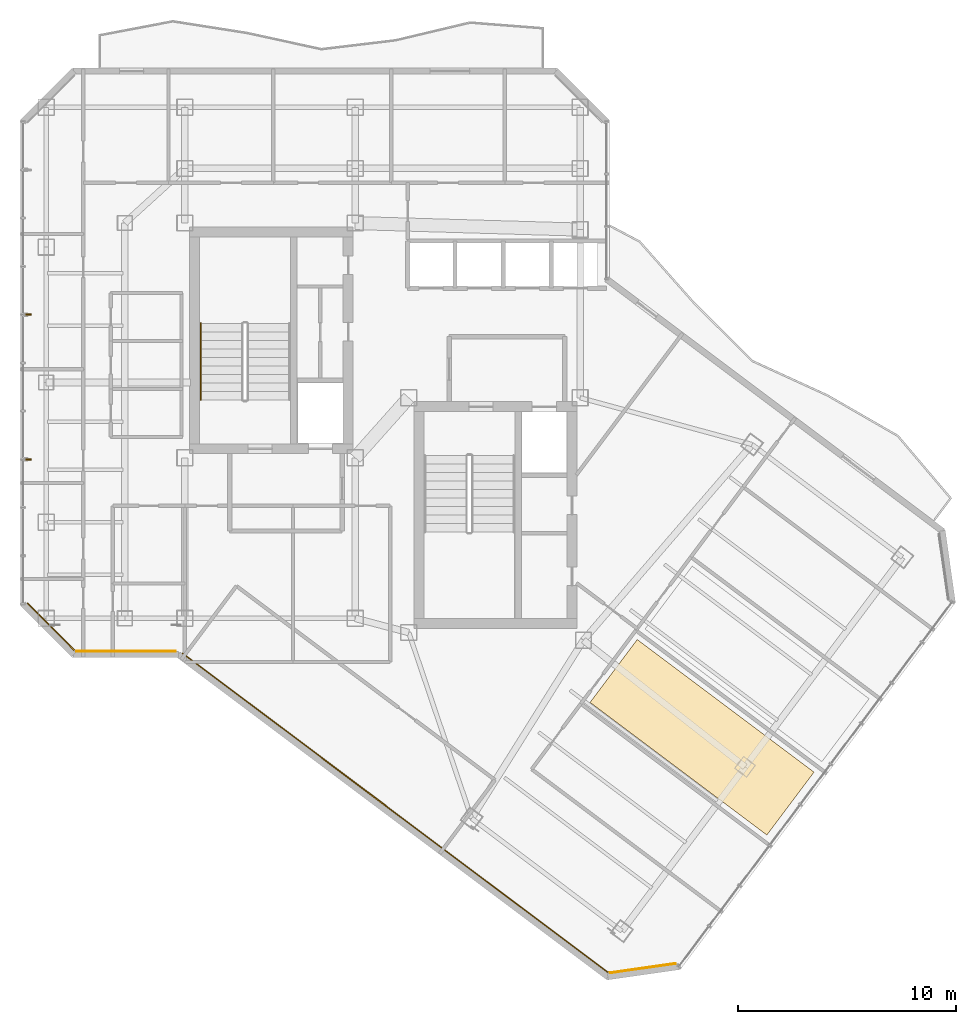
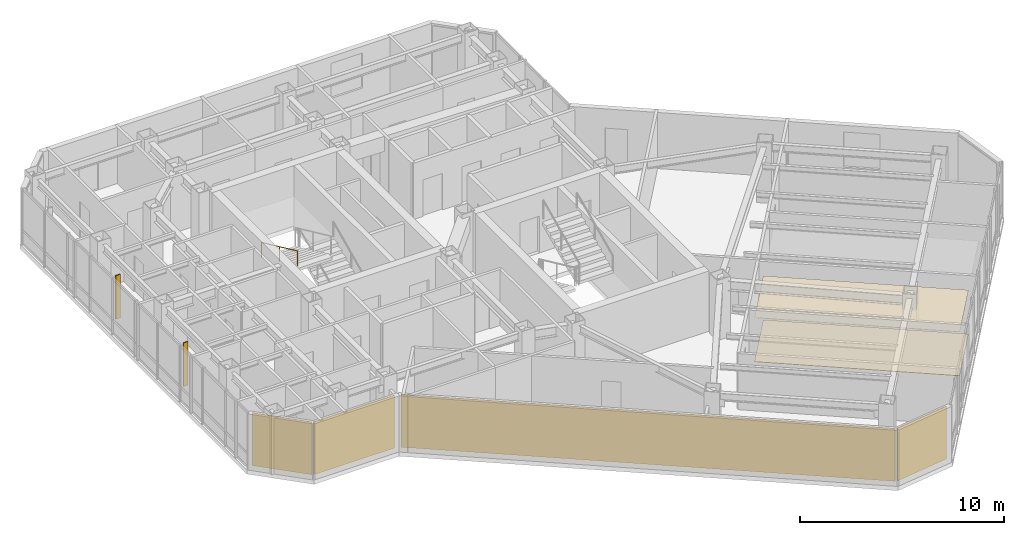
# One storey, part 23 of 26: 6 coverings, 2 shading devices, 1 railing.
"""IFC4 building model written with IfcOpenShell, lengths in metres."""

from ifc_helpers import new_model, si_unit, direction, frame, origin, origin_2d, place, context, subcontext, project, spatial, polyline, rectangle, circle, outline, extrude, material, layer, layer_set, type_object, element, save


model = new_model("IFC4")

# Units and contexts
model_context = context("Model", 3, precision=1e-05, world=origin(), true_north=direction((0.0, 1.0)))
body_context = subcontext(model_context, "Body", "Model", "MODEL_VIEW")
ifc_project = project(units=[si_unit("LENGTHUNIT", "METRE"), si_unit("AREAUNIT", "SQUARE_METRE"), si_unit("VOLUMEUNIT", "CUBIC_METRE"), si_unit("PLANEANGLEUNIT", "RADIAN"), si_unit("MASSUNIT", "GRAM", prefix="KILO")], contexts=[model_context])

# Site, building, storey
site_placement = place(None, origin())
site = spatial("IfcSite", under=ifc_project, at=site_placement, CompositionType="ELEMENT")
building_placement = place(site_placement, origin())
building = spatial("IfcBuilding", under=site, at=building_placement, Name="Hatsunagi Terrace Concourse", CompositionType="ELEMENT")
storey_placement = place(building_placement, frame((0.0, 0.0, 209.550048828125)))
storey = spatial("IfcBuildingStorey", under=building, at=storey_placement, Name="L55", CompositionType="ELEMENT", Elevation=209.550048828125)

# Coverings
ifc_material_1 = material(Name="Acoustic mineral board", Category="gypsum")
ifc_layer_1 = layer(ifc_material_1, 0.02001953125)
ifc_layer_set_1 = layer_set([ifc_layer_1], Name="AcousticMineralCeiling_20")
covering_type_1 = type_object("IfcCoveringType", Name="AcousticMineralCeiling_20", PredefinedType="CEILING", material=ifc_layer_set_1)
covering_1_placement = place(storey_placement, frame((0.0, 0.0, 2.6298828125)))
element("IfcCovering", 1, at=covering_1_placement, inside=storey, type_object=covering_type_1, Name="Suspended Ceiling L55-1", PredefinedType="CEILING", context=body_context, shape_type="SweptSolid", body=[
    extrude(outline(polyline([(54.35595703125, 18.157958984375), (46.260009765625, 24.22998046875), (44.10009765625, 21.35009765625), (52.196044921875, 15.278076171875), (54.35595703125, 18.157958984375)])), origin(), (0.0, 0.0, 1.0), 0.02001953125),
])
ifc_material_2 = material(Name="Granite stone paving", Category="masonry")
ifc_layer_2 = layer(ifc_material_2, 0.02490234375)
ifc_layer_set_2 = layer_set([ifc_layer_2], Name="GraniteStoneFlooring_25")
covering_type_2 = type_object("IfcCoveringType", Name="GraniteStoneFlooring_25", PredefinedType="FLOORING", material=ifc_layer_set_2)
covering_2_placement = place(storey_placement, origin())
element("IfcCovering", 2, at=covering_2_placement, inside=storey, type_object=covering_type_2, Name="Finished Flooring L55-1", PredefinedType="FLOORING", context=body_context, shape_type="SweptSolid", body=[
    extrude(outline(polyline([(54.35595703125, 18.157958984375), (46.260009765625, 24.22998046875), (44.10009765625, 21.35009765625), (52.196044921875, 15.278076171875), (54.35595703125, 18.157958984375)])), origin(), (0.0, 0.0, 1.0), 0.02490234375),
])

# Railing
ifc_material_3 = material(Name="Stainless steel", Category="steel")
ifc_layer_3 = layer(ifc_material_3, 0.044921875)
ifc_layer_set_3 = layer_set([ifc_layer_3], Name="StairPitchHandrail_Tower2000")
railing_type = type_object("IfcRailingType", Name="StairPitchHandrail_Tower2000", PredefinedType="HANDRAIL", material=ifc_layer_set_3)
railing_placement = place(storey_placement, frame((26.280029296875, 38.7099609375, 1.97998046875)))
element("IfcRailing", 3, at=railing_placement, inside=storey, type_object=railing_type, Name="L55 ST-A stair handrail 2", PredefinedType="HANDRAIL", context=body_context, shape_type="SweptSolid", body=[
    extrude(circle(Radius=0.02392578125, at=origin_2d()), frame((0.0, 0.0, 0.8759765625), z_axis=(0.0, -0.907972323039, 0.419030142823), x_axis=(1.0, 0.0, 0.0)), (0.0, 0.0, 1.0), 3.86572265625),
    extrude(circle(Radius=0.02099609375, at=origin_2d()), origin(), (0.0, 0.0, 1.0), 0.851806640625),
    extrude(circle(Radius=0.02099609375, at=origin_2d()), frame((0.0, -1.7548828125, 0.81005859375)), (0.0, 0.0, 1.0), 0.851806640625),
    extrude(circle(Radius=0.02099609375, at=origin_2d()), frame((0.0, -3.510009765625, 1.619873046875)), (0.0, 0.0, 1.0), 0.851806640625),
])

# Shading devices
ifc_material_4 = material(Name="Extruded Unglazed Terracotta Baguette", Category="masonry")
shading_device_type = type_object("IfcShadingDeviceType", Name="TerracottaFinScreen_260x70", PredefinedType="USERDEFINED", material=ifc_material_4)
for number, where, z_axis, x_axis, name in (
    (4, (18.389892578125, 32.48291015625, 0.849853515625), (0.0, 0.0, 1.0), (0.0, 1.0, 0.0), "Terracotta Baguette Fin Screen SCR-01"),
    (5, (18.389892578125, 39.10791015625, 0.849853515625), (0.0, 0.0, 1.0), (0.0, 1.0, 0.0), "Terracotta Baguette Fin Screen SCR-01"),
):
    element("IfcShadingDevice", number, at=place(storey_placement, frame(where, z_axis=z_axis, x_axis=x_axis)), inside=storey, type_object=shading_device_type, Name=name, ObjectType="SUNSHADE", PredefinedType="USERDEFINED", context=body_context, shape_type="SweptSolid", body=[
        extrude(rectangle(XDim=0.070068359375, YDim=0.260009765625, at=origin_2d()), origin(), (0.0, 0.0, 1.0), 2.60009765625),
    ])

# Coverings
ifc_material_5 = material(Name="Unglazed Warm Terracotta Rainscreen Tile", Category="masonry")
ifc_layer_4 = layer(ifc_material_5, 0.044921875)
ifc_layer_set_4 = layer_set([ifc_layer_4], Name="TerracottaRainscreenCladding_45")
covering_type_3 = type_object("IfcCoveringType", Name="TerracottaRainscreenCladding_45", PredefinedType="CLADDING", material=ifc_layer_set_4)
covering_3_placement = place(storey_placement, frame((46.51806640625, 9.178955078125, 0.10009765625), z_axis=(0.0, 0.0, 1.0), x_axis=(-0.989973920543, -0.141250262458, 0.0)))
element("IfcCovering", 6, at=covering_3_placement, inside=storey, type_object=covering_type_3, Name="Terracotta Rainscreen Cladding L55-04", PredefinedType="CLADDING", context=body_context, shape_type="SweptSolid", body=[
    extrude(rectangle(XDim=3.0380859375, YDim=0.044921875, at=origin_2d()), origin(), (0.0, 0.0, 1.0), 3.14990234375),
])
covering_4_placement = place(storey_placement, frame((35.179931640625, 16.29296875, 0.10009765625), z_axis=(0.0, 0.0, 1.0), x_axis=(-0.800005211305, 0.599993051531, 0.0)))
element("IfcCovering", 7, at=covering_4_placement, inside=storey, type_object=covering_type_3, Name="Terracotta Rainscreen Cladding L55-05", PredefinedType="CLADDING", context=body_context, shape_type="SweptSolid", body=[
    extrude(rectangle(XDim=24.34912109375, YDim=0.044921875, at=origin_2d()), origin(), (0.0, 0.0, 1.0), 3.14990234375),
])
covering_5_placement = place(storey_placement, frame((22.85205078125, 23.701904296875, 0.10009765625), z_axis=(0.0, 0.0, 1.0), x_axis=(-1.0, 0.0, 0.0)))
element("IfcCovering", 8, at=covering_5_placement, inside=storey, type_object=covering_type_3, Name="Terracotta Rainscreen Cladding L55-06", PredefinedType="CLADDING", context=body_context, shape_type="SweptSolid", body=[
    extrude(rectangle(XDim=4.549072265625, YDim=0.044921875, at=origin_2d()), origin(), (0.0, 0.0, 1.0), 3.14990234375),
])
covering_6_placement = place(storey_placement, frame((19.4140625, 24.81396484375, 0.10009765625), z_axis=(0.0, 0.0, 1.0), x_axis=(-0.707106781187, 0.707106781187, 0.0)))
element("IfcCovering", 9, at=covering_6_placement, inside=storey, type_object=covering_type_3, Name="Terracotta Rainscreen Cladding L55-07", PredefinedType="CLADDING", context=body_context, shape_type="SweptSolid", body=[
    extrude(rectangle(XDim=3.0380859375, YDim=0.044921875, at=origin_2d()), origin(), (0.0, 0.0, 1.0), 3.14990234375),
])

save(model, "model.ifc")
